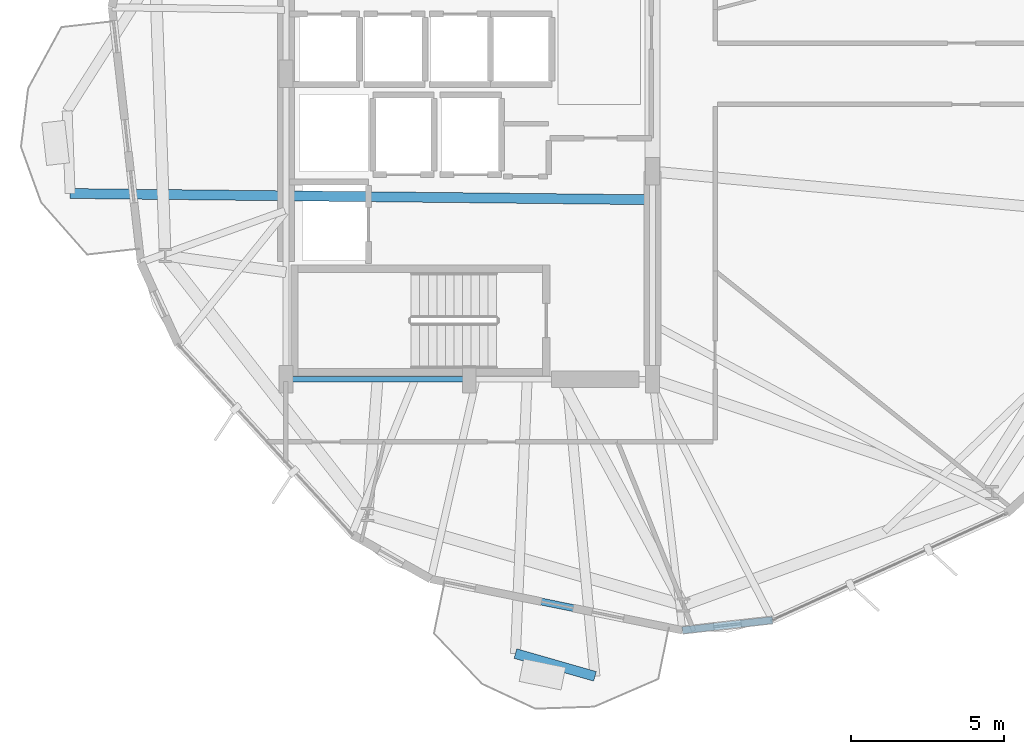
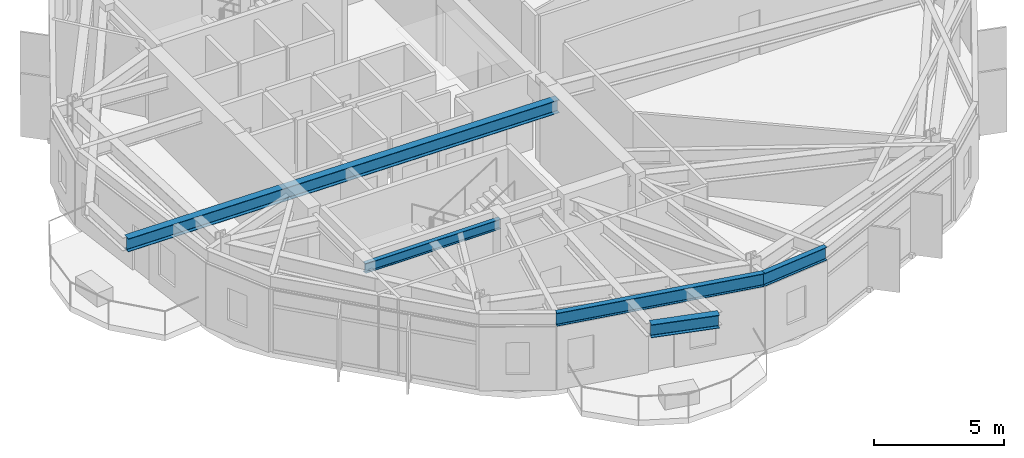
# One storey, part 4 of 23: 5 beams.
"""IFC4 building model written with IfcOpenShell, lengths in metres."""

import ifcopenshell
import ifcopenshell.guid

model = None  # the IFC model being written
_history = None  # IfcOwnerHistory: only IFC2X3 demands one
_inside = {}  # id of a spatial element -> (the spatial element, [elements in it])
_under = {}  # id of a project, library or spatial element -> (it, [spatial elements below it])
_declared = {}  # id of a project -> (the project, [libraries it declares])
_typed = {}  # id of a type object -> (the type object, [elements of that type])
_made_of = {}  # id of a material, layer set ... -> (it, [elements and type objects made of it])


def new_model(schema):
    """Start an empty IFC model of exactly this schema.

    Asked for "IFC4X3", IfcOpenShell would pick the latest addendum, in which some entities
    have other attributes; the version numbers below select the first issue.
    IFC2X3 requires an IfcOwnerHistory on every rooted entity: one is made here for all.
    """
    global model, _history
    if schema == "IFC4X3":
        model = ifcopenshell.file(schema_version=(4, 3, 0, 0))
    else:
        model = ifcopenshell.file(schema=schema)
    _inside.clear()
    _under.clear()
    _declared.clear()
    _typed.clear()
    _made_of.clear()
    _history = None
    if model.schema == "IFC2X3":
        org = make("IfcOrganization", Name="unknown")
        user = make(
            "IfcPersonAndOrganization",
            ThePerson=make("IfcPerson", FamilyName="unknown"),
            TheOrganization=org,
        )
        app = make(
            "IfcApplication",
            ApplicationDeveloper=org,
            Version="unknown",
            ApplicationFullName="unknown",
            ApplicationIdentifier="unknown",
        )
        _history = make(
            "IfcOwnerHistory",
            OwningUser=user,
            OwningApplication=app,
            ChangeAction="ADDED",
            CreationDate=0,
        )
    return model


def make(cls, **values):
    """One entity of the class cls with the attributes given. An attribute that is None is left unset."""
    return model.create_entity(
        cls, **{name: value for name, value in values.items() if value is not None}
    )


def rooted(cls, **values):
    """An entity with a GlobalId (a new one), such as an element, a storey or a relation."""
    return make(cls, GlobalId=ifcopenshell.guid.new(), OwnerHistory=_history, **values)


def si_unit(unit_type, name, prefix=None):
    """IfcSIUnit, for example si_unit("LENGTHUNIT", "METRE", prefix="MILLI")."""
    return make("IfcSIUnit", UnitType=unit_type, Prefix=prefix, Name=name)


def assignment(units):
    """IfcUnitAssignment: the units of a project."""
    return None if units is None else make("IfcUnitAssignment", Units=units)


def point(xyz):
    """IfcCartesianPoint."""
    return None if xyz is None else make("IfcCartesianPoint", Coordinates=xyz)


def direction(xyz):
    """IfcDirection."""
    return None if xyz is None else make("IfcDirection", DirectionRatios=xyz)


def frame(location, z_axis=None, x_axis=None):
    """IfcAxis2Placement3D, a coordinate frame: its origin and axes. An axis left out is left unset."""
    return make(
        "IfcAxis2Placement3D",
        Location=point(location),
        Axis=direction(z_axis),
        RefDirection=direction(x_axis),
    )


def frame_2d(location, x_axis=None):
    """IfcAxis2Placement2D, a coordinate frame in the plane: its origin and x axis."""
    return make(
        "IfcAxis2Placement2D", Location=point(location), RefDirection=direction(x_axis)
    )


def origin():
    """The frame at (0, 0, 0) with its axes left unset."""
    return frame((0.0, 0.0, 0.0))


def origin_2d():
    """The frame at (0, 0) in the plane with its x axis left unset."""
    return frame_2d((0.0, 0.0))


def place(relative_to, where):
    """IfcLocalPlacement: puts the frame where relative to a parent placement (None: the world)."""
    return make(
        "IfcLocalPlacement", PlacementRelTo=relative_to, RelativePlacement=where
    )


def context(
    kind, dimensions, precision=None, world=None, true_north=None, identifier=None
):
    """IfcGeometricRepresentationContext, for example the 3D "Model" context."""
    return make(
        "IfcGeometricRepresentationContext",
        ContextIdentifier=identifier,
        ContextType=kind,
        CoordinateSpaceDimension=dimensions,
        Precision=precision,
        WorldCoordinateSystem=world,
        TrueNorth=true_north,
    )


def subcontext(parent, identifier, kind, view, scale=None):
    """IfcGeometricRepresentationSubContext, for example "Body" below "Model"."""
    return make(
        "IfcGeometricRepresentationSubContext",
        ContextIdentifier=identifier,
        ContextType=kind,
        ParentContext=parent,
        TargetScale=scale,
        TargetView=view,
    )


def project(units=None, contexts=None):
    """IfcProject with its units and contexts."""
    return rooted(
        "IfcProject",
        Name="project",
        RepresentationContexts=contexts,
        UnitsInContext=assignment(units),
    )


def spatial(cls, under=None, at=None, **own):
    """A site, building, storey or space (cls), placed at a placement, below another one or the project."""
    s = rooted(cls, ObjectPlacement=at, **own)
    if under is not None:
        _under.setdefault(under.id(), (under, []))[1].append(s)
    return s


def profile(cls, at=None, kind="AREA", **sizes):
    """A parametric profile (cls). Its sizes go by their IFC names, for example OverallWidth=200.0."""
    return make(cls, ProfileType=kind, Position=at, **sizes)


def i_section(**sizes):
    """IfcIShapeProfileDef."""
    return profile("IfcIShapeProfileDef", **sizes)


def extrude(swept, where, along, depth):
    """IfcExtrudedAreaSolid: the profile swept, set in the frame where, extruded along a direction by depth."""
    return make(
        "IfcExtrudedAreaSolid",
        SweptArea=swept,
        Position=where,
        ExtrudedDirection=direction(along),
        Depth=depth,
    )


def shape(context_of_items, identifier, shape_type, items):
    """IfcShapeRepresentation: the items that make up one representation, for example the "Body"."""
    return make(
        "IfcShapeRepresentation",
        ContextOfItems=context_of_items,
        RepresentationIdentifier=identifier,
        RepresentationType=shape_type,
        Items=items,
    )


def material(Name=None, Category=None):
    """IfcMaterial."""
    return make("IfcMaterial", Name=Name, Category=Category)


def material_profile(
    of_material, cross_section, Name=None, Category=None, Priority=None
):
    """IfcMaterialProfile: a cross section and its material."""
    return make(
        "IfcMaterialProfile",
        Name=Name,
        Material=of_material,
        Profile=cross_section,
        Priority=Priority,
        Category=Category,
    )


def profile_set(profiles, Name=None, composite=None):
    """IfcMaterialProfileSet."""
    return make(
        "IfcMaterialProfileSet",
        Name=Name,
        MaterialProfiles=profiles,
        CompositeProfile=composite,
    )


def made_of(thing, what):
    """Note that an element or type object is made of a material, layer set ...; save() writes the relation."""
    if what is not None:
        _made_of.setdefault(what.id(), (what, []))[1].append(thing)
    return thing


def type_object(cls, material=None, **own):
    """A type object (cls), such as IfcWallType, which elements share."""
    return made_of(rooted(cls, **own), material)


def element(
    cls,
    number,
    at=None,
    inside=None,
    cuts=None,
    type_object=None,
    material=None,
    context=None,
    identifier="Body",
    shape_type=None,
    held_by="IfcProductDefinitionShape",
    body=None,
    shapes=None,
    **own,
):
    """One element of the class cls, such as IfcWall. Its Tag is "e" and its number.

    at: its placement. inside: the storey or other place that contains it. cuts: it is an
    opening in that element (IfcRelVoidsElement). A single representation is given by context,
    identifier, shape_type and body (its items); several are given by shapes. held_by: the class
    of the entity that holds the representations. save() writes the other relations.
    """
    e = rooted(cls, Tag="e%d" % number, ObjectPlacement=at, **own)
    if body is not None:
        shapes = [shape(context, identifier, shape_type, body)]
    if shapes is not None:
        e.Representation = make(held_by, Representations=shapes)
    if inside is not None:
        _inside.setdefault(inside.id(), (inside, []))[1].append(e)
    if cuts is not None:
        rooted(
            "IfcRelVoidsElement", RelatingBuildingElement=cuts, RelatedOpeningElement=e
        )
    if type_object is not None:
        _typed.setdefault(type_object.id(), (type_object, []))[1].append(e)
    return made_of(e, material)


def aggregate(whole, parts):
    """IfcRelAggregates: a whole, such as a stair, and the parts it consists of."""
    return rooted("IfcRelAggregates", RelatingObject=whole, RelatedObjects=parts)


def save(model, path):
    """Write the relations noted so far, then the file.

    IfcRelAggregates (storeys below a building ...), IfcRelContainedInSpatialStructure (elements
    in a storey), IfcRelDefinesByType, IfcRelAssociatesMaterial and IfcRelDeclares: one each for
    every whole, place, type object, material and project.
    """
    for whole, parts in _under.values():
        aggregate(whole, parts)
    for where, things in _inside.values():
        rooted(
            "IfcRelContainedInSpatialStructure",
            RelatedElements=things,
            RelatingStructure=where,
        )
    for kind, things in _typed.values():
        rooted("IfcRelDefinesByType", RelatedObjects=things, RelatingType=kind)
    for what, things in _made_of.values():
        rooted("IfcRelAssociatesMaterial", RelatedObjects=things, RelatingMaterial=what)
    for by, libraries in _declared.values():
        rooted("IfcRelDeclares", RelatingContext=by, RelatedDefinitions=libraries)
    model.write(path)


model = new_model("IFC4")

# Units and contexts
model_context = context("Model", 3, precision=1e-05, world=origin(), true_north=direction((0.0, 1.0)))
body_context = subcontext(model_context, "Body", "Model", "MODEL_VIEW")
ifc_project = project(units=[si_unit("LENGTHUNIT", "METRE"), si_unit("AREAUNIT", "SQUARE_METRE"), si_unit("VOLUMEUNIT", "CUBIC_METRE"), si_unit("PLANEANGLEUNIT", "RADIAN"), si_unit("MASSUNIT", "GRAM", prefix="KILO")], contexts=[model_context])

# Site, building, storey
site_placement = place(None, origin())
site = spatial("IfcSite", under=ifc_project, at=site_placement, CompositionType="ELEMENT")
building_placement = place(site_placement, origin())
building = spatial("IfcBuilding", under=site, at=building_placement, Name="Soratama Intermodal Tower", CompositionType="ELEMENT")
storey_placement = place(building_placement, frame((0.0, 0.0, 122.5)))
storey = spatial("IfcBuildingStorey", under=building, at=storey_placement, Name="L29", CompositionType="ELEMENT", Elevation=122.5)

# Beams
ifc_material_1 = material(Name="Structural steel ASTM A992 Grade 50", Category="steel")
ifc_material_profile_1 = material_profile(ifc_material_1, i_section(OverallWidth=0.324951171875, OverallDepth=0.615966796875, WebThickness=0.013916015625, FlangeThickness=0.021484375, FilletRadius=0.013916015625, at=origin_2d()), Name="W24X117")
ifc_profile_set_1 = profile_set([ifc_material_profile_1], Name="Structural steel ASTM A992 Grade 50")
beam_type_1 = type_object("IfcBeamType", Name="BM-CANT-W24X117", PredefinedType="BEAM", material=ifc_profile_set_1)
beam_1_placement = place(storey_placement, frame((40.113037109375, 6.02197265625, 3.2919921875), z_axis=(0.961384264113, -0.275209550554, 0.0), x_axis=(0.275209550554, 0.961384264113, 0.0)))
element("IfcBeam", 1, at=beam_1_placement, inside=storey, type_object=beam_type_1, Name="BM-L29-CBHDR-3", PredefinedType="BEAM", context=body_context, shape_type="SweptSolid", body=[
    extrude(i_section(OverallWidth=0.324951171875, OverallDepth=0.615966796875, WebThickness=0.013916015625, FlangeThickness=0.021484375, FilletRadius=0.013916015625, at=origin_2d()), origin(), (0.0, 0.0, 1.0), 2.70654296875),
])
beam_2_placement = place(storey_placement, frame((44.56005859375, 20.8759765625, 3.2919921875), z_axis=(-0.999943003499, 0.010676598423, 0.0), x_axis=(-0.010676598423, -0.999943003499, 0.0)))
element("IfcBeam", 2, at=beam_2_placement, inside=storey, type_object=beam_type_1, Name="BM-L29-CANT-2-2", PredefinedType="BEAM", context=body_context, shape_type="SweptSolid", body=[
    extrude(i_section(OverallWidth=0.324951171875, OverallDepth=0.615966796875, WebThickness=0.013916015625, FlangeThickness=0.021484375, FilletRadius=0.013916015625, at=origin_2d()), origin(), (0.0, 0.0, 1.0), 19.025146484375),
])
ifc_material_2 = material(Name="Structural steel ASTM A992 Grade 50", Category="steel")
ifc_material_profile_2 = material_profile(ifc_material_2, i_section(OverallWidth=0.19091796875, OverallDepth=0.4599609375, WebThickness=0.010009765625, FlangeThickness=0.01611328125, FilletRadius=0.010986328125, at=origin_2d()), Name="W18X55")
ifc_profile_set_2 = profile_set([ifc_material_profile_2], Name="Structural steel ASTM A992 Grade 50")
beam_type_2 = type_object("IfcBeamType", Name="BM-FLR-W18X55", PredefinedType="BEAM", material=ifc_profile_set_2)
beam_3_placement = place(storey_placement, frame((32.60009765625, 15.0, 3.3701171875), z_axis=(1.0, 0.0, 0.0), x_axis=(0.0, 1.0, 0.0)))
element("IfcBeam", 3, at=beam_3_placement, inside=storey, type_object=beam_type_2, Name="BM-L29-CRING-01", PredefinedType="BEAM", context=body_context, shape_type="SweptSolid", body=[
    extrude(i_section(OverallWidth=0.19091796875, OverallDepth=0.4599609375, WebThickness=0.010009765625, FlangeThickness=0.01611328125, FilletRadius=0.010986328125, at=origin_2d()), origin(), (0.0, 0.0, 1.0), 6.0),
])
ifc_material_3 = material(Name="Structural steel ASTM A992 Grade 50", Category="steel")
ifc_material_profile_3 = material_profile(ifc_material_3, i_section(OverallWidth=0.22900390625, OverallDepth=0.612060546875, WebThickness=0.011962890625, FlangeThickness=0.01953125, FilletRadius=0.012939453125, at=origin_2d()), Name="W24X84")
ifc_profile_set_3 = profile_set([ifc_material_profile_3], Name="Structural steel ASTM A992 Grade 50")
beam_type_3 = type_object("IfcBeamType", Name="BM-SPN-W24X84", PredefinedType="SPANDREL", material=ifc_profile_set_3)
beam_4_placement = place(storey_placement, frame((37.340087890625, 8.4619140625, 3.2939453125), z_axis=(0.979869393943, -0.199639602317, 0.0), x_axis=(0.199639602317, 0.979869393943, 0.0)))
element("IfcBeam", 4, at=beam_4_placement, inside=storey, type_object=beam_type_3, Name="BS-L29-F07", PredefinedType="SPANDREL", context=body_context, shape_type="SweptSolid", body=[
    extrude(i_section(OverallWidth=0.22900390625, OverallDepth=0.612060546875, WebThickness=0.011962890625, FlangeThickness=0.01953125, FilletRadius=0.012939453125, at=origin_2d()), origin(), (0.0, 0.0, 1.0), 8.405029296875),
])
beam_5_placement = place(storey_placement, frame((45.575927734375, 6.783935546875, 3.2939453125), z_axis=(0.993643593429, 0.112571795926, 0.0), x_axis=(-0.112571795926, 0.993643593429, 0.0)))
element("IfcBeam", 5, at=beam_5_placement, inside=storey, type_object=beam_type_3, Name="BS-L29-CRN07", PredefinedType="SPANDREL", context=body_context, shape_type="SweptSolid", body=[
    extrude(i_section(OverallWidth=0.22900390625, OverallDepth=0.612060546875, WebThickness=0.011962890625, FlangeThickness=0.01953125, FilletRadius=0.012939453125, at=origin_2d()), origin(), (0.0, 0.0, 1.0), 2.966796875),
])

save(model, "model.ifc")
